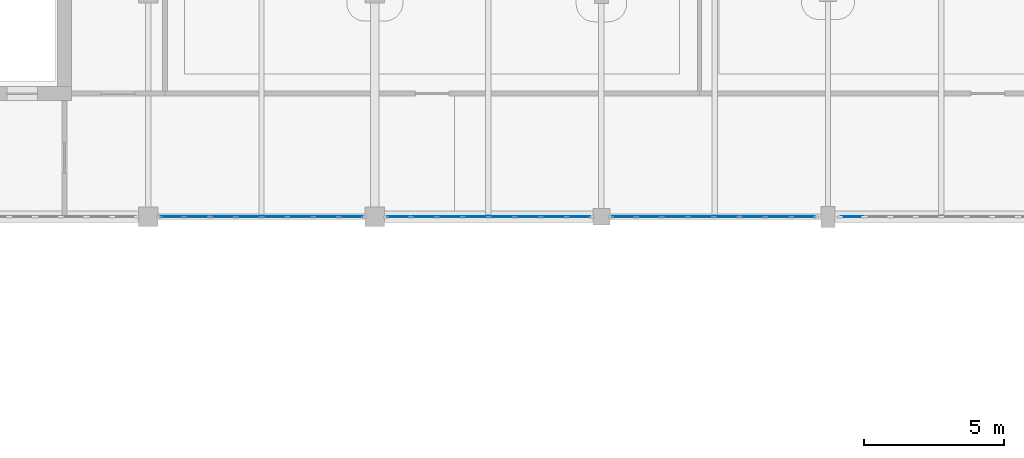
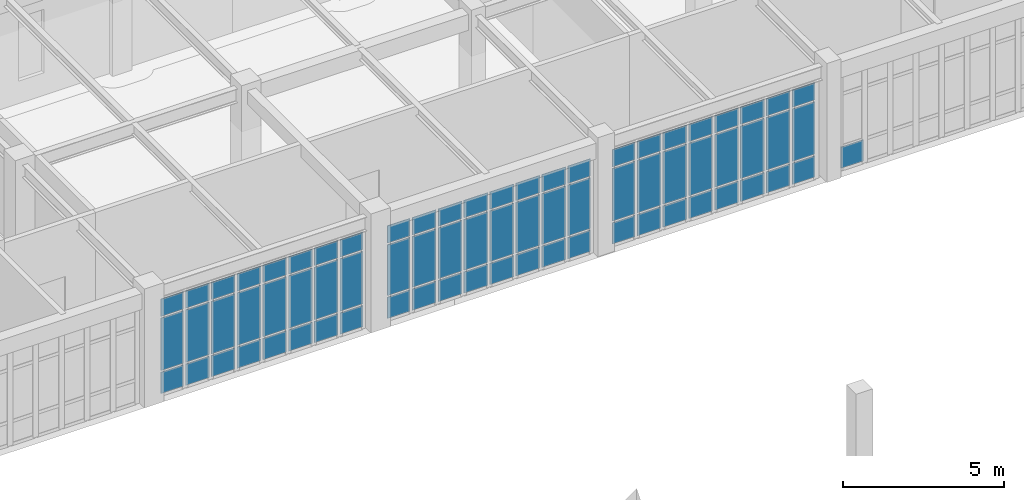
# One storey, part 44 of 67: 73 plates, 4 elements without a shape of their own.
"""IFC4 building model written with IfcOpenShell, lengths in metres."""

from ifc_helpers import new_model, si_unit, direction, frame, origin, origin_2d, place, context, subcontext, project, spatial, rectangle, extrude, material, layer, layer_set, type_object, element, aggregate, save


model = new_model("IFC4")

# Units and contexts
model_context = context("Model", 3, precision=1e-05, world=origin(), true_north=direction((0.0, 1.0)))
body_context = subcontext(model_context, "Body", "Model", "MODEL_VIEW")
ifc_project = project(units=[si_unit("LENGTHUNIT", "METRE"), si_unit("AREAUNIT", "SQUARE_METRE"), si_unit("VOLUMEUNIT", "CUBIC_METRE"), si_unit("PLANEANGLEUNIT", "RADIAN"), si_unit("MASSUNIT", "GRAM", prefix="KILO")], contexts=[model_context])

# Site, building, storey
site_placement = place(None, origin())
site = spatial("IfcSite", under=ifc_project, at=site_placement, CompositionType="ELEMENT")
building_placement = place(site_placement, origin())
building = spatial("IfcBuilding", under=site, at=building_placement, Name="Tarnveldt Square Police Headquarters", CompositionType="ELEMENT")
storey_placement = place(building_placement, frame((0.0, 0.0, 10.199951171875)))
storey = spatial("IfcBuildingStorey", under=building, at=storey_placement, Name="L02", CompositionType="ELEMENT", Elevation=10.199951171875)

# Curtain wall, plates
ifc_material = material(Name="Triple-glazed low-e laminated vision glass", Category="glass")
curtain_wall_type_1 = type_object("IfcCurtainWallType", Name="CW-LB-737x370", PredefinedType="USERDEFINED", material=ifc_material)
curtain_wall_1_placement = place(storey_placement, origin())
curtain_wall_1 = element("IfcCurtainWall", 1, at=curtain_wall_1_placement, inside=storey, type_object=curtain_wall_type_1, Name="L02 Curtain Wall CW-L02-114", ObjectType="GLAZED CURTAIN WALL", PredefinedType="USERDEFINED")
ifc_layer = layer(ifc_material, 0.028076171875)
ifc_layer_set = layer_set([ifc_layer], Name="Triple-glazed low-e laminated vision glass")
plate_type = type_object("IfcPlateType", Name="CWP-VIS-28", PredefinedType="CURTAIN_PANEL", material=ifc_layer_set)
plate_1_placement = place(storey_placement, frame((65.644287109375, 96.0, 0.06494140625), z_axis=(0.0, 0.0, 1.0), x_axis=(1.0, 0.0, 0.0)))
plate_1 = element("IfcPlate", 2, at=plate_1_placement, type_object=plate_type, Name="CW-LB65 panel 1.1", PredefinedType="CURTAIN_PANEL", context=body_context, shape_type="SweptSolid", body=[
    extrude(rectangle(XDim=0.808837890625, YDim=0.028076171875, at=origin_2d()), origin(), (0.0, 0.0, 1.0), 0.802490234375),
])
plate_2_placement = place(storey_placement, frame((65.644287109375, 96.0, 0.9326171875), z_axis=(0.0, 0.0, 1.0), x_axis=(1.0, 0.0, 0.0)))
plate_2 = element("IfcPlate", 3, at=plate_2_placement, type_object=plate_type, Name="CW-LB65 panel 1.2", PredefinedType="CURTAIN_PANEL", context=body_context, shape_type="SweptSolid", body=[
    extrude(rectangle(XDim=0.808837890625, YDim=0.028076171875, at=origin_2d()), origin(), (0.0, 0.0, 1.0), 1.98388671875),
])
plate_3_placement = place(storey_placement, frame((65.644287109375, 96.0, 2.9814453125), z_axis=(0.0, 0.0, 1.0), x_axis=(1.0, 0.0, 0.0)))
plate_3 = element("IfcPlate", 4, at=plate_3_placement, type_object=plate_type, Name="CW-LB65 panel 1.3", PredefinedType="CURTAIN_PANEL", context=body_context, shape_type="SweptSolid", body=[
    extrude(rectangle(XDim=0.808837890625, YDim=0.028076171875, at=origin_2d()), origin(), (0.0, 0.0, 1.0), 0.652587890625),
])
plate_4_placement = place(storey_placement, frame((66.546875, 96.0, 0.06494140625), z_axis=(0.0, 0.0, 1.0), x_axis=(1.0, 0.0, 0.0)))
plate_4 = element("IfcPlate", 5, at=plate_4_placement, type_object=plate_type, Name="CW-LB65 panel 2.1", PredefinedType="CURTAIN_PANEL", context=body_context, shape_type="SweptSolid", body=[
    extrude(rectangle(XDim=0.84619140625, YDim=0.028076171875, at=origin_2d()), origin(), (0.0, 0.0, 1.0), 0.802490234375),
])
plate_5_placement = place(storey_placement, frame((66.546875, 96.0, 0.9326171875), z_axis=(0.0, 0.0, 1.0), x_axis=(1.0, 0.0, 0.0)))
plate_5 = element("IfcPlate", 6, at=plate_5_placement, type_object=plate_type, Name="CW-LB65 panel 2.2", PredefinedType="CURTAIN_PANEL", context=body_context, shape_type="SweptSolid", body=[
    extrude(rectangle(XDim=0.84619140625, YDim=0.028076171875, at=origin_2d()), origin(), (0.0, 0.0, 1.0), 1.98388671875),
])
plate_6_placement = place(storey_placement, frame((66.546875, 96.0, 2.9814453125), z_axis=(0.0, 0.0, 1.0), x_axis=(1.0, 0.0, 0.0)))
plate_6 = element("IfcPlate", 7, at=plate_6_placement, type_object=plate_type, Name="CW-LB65 panel 2.3", PredefinedType="CURTAIN_PANEL", context=body_context, shape_type="SweptSolid", body=[
    extrude(rectangle(XDim=0.84619140625, YDim=0.028076171875, at=origin_2d()), origin(), (0.0, 0.0, 1.0), 0.652587890625),
])
plate_7_placement = place(storey_placement, frame((67.468017578125, 96.0, 0.06494140625), z_axis=(0.0, 0.0, 1.0), x_axis=(1.0, 0.0, 0.0)))
plate_7 = element("IfcPlate", 8, at=plate_7_placement, type_object=plate_type, Name="CW-LB65 panel 3.1", PredefinedType="CURTAIN_PANEL", context=body_context, shape_type="SweptSolid", body=[
    extrude(rectangle(XDim=0.84619140625, YDim=0.028076171875, at=origin_2d()), origin(), (0.0, 0.0, 1.0), 0.802490234375),
])
plate_8_placement = place(storey_placement, frame((67.468017578125, 96.0, 0.9326171875), z_axis=(0.0, 0.0, 1.0), x_axis=(1.0, 0.0, 0.0)))
plate_8 = element("IfcPlate", 9, at=plate_8_placement, type_object=plate_type, Name="CW-LB65 panel 3.2", PredefinedType="CURTAIN_PANEL", context=body_context, shape_type="SweptSolid", body=[
    extrude(rectangle(XDim=0.84619140625, YDim=0.028076171875, at=origin_2d()), origin(), (0.0, 0.0, 1.0), 1.98388671875),
])
plate_9_placement = place(storey_placement, frame((67.468017578125, 96.0, 2.9814453125), z_axis=(0.0, 0.0, 1.0), x_axis=(1.0, 0.0, 0.0)))
plate_9 = element("IfcPlate", 10, at=plate_9_placement, type_object=plate_type, Name="CW-LB65 panel 3.3", PredefinedType="CURTAIN_PANEL", context=body_context, shape_type="SweptSolid", body=[
    extrude(rectangle(XDim=0.84619140625, YDim=0.028076171875, at=origin_2d()), origin(), (0.0, 0.0, 1.0), 0.652587890625),
])
plate_10_placement = place(storey_placement, frame((68.389404296875, 96.0, 0.06494140625), z_axis=(0.0, 0.0, 1.0), x_axis=(1.0, 0.0, 0.0)))
plate_10 = element("IfcPlate", 11, at=plate_10_placement, type_object=plate_type, Name="CW-LB65 panel 4.1", PredefinedType="CURTAIN_PANEL", context=body_context, shape_type="SweptSolid", body=[
    extrude(rectangle(XDim=0.84619140625, YDim=0.028076171875, at=origin_2d()), origin(), (0.0, 0.0, 1.0), 0.802490234375),
])
plate_11_placement = place(storey_placement, frame((68.389404296875, 96.0, 0.9326171875), z_axis=(0.0, 0.0, 1.0), x_axis=(1.0, 0.0, 0.0)))
plate_11 = element("IfcPlate", 12, at=plate_11_placement, type_object=plate_type, Name="CW-LB65 panel 4.2", PredefinedType="CURTAIN_PANEL", context=body_context, shape_type="SweptSolid", body=[
    extrude(rectangle(XDim=0.84619140625, YDim=0.028076171875, at=origin_2d()), origin(), (0.0, 0.0, 1.0), 1.98388671875),
])
plate_12_placement = place(storey_placement, frame((68.389404296875, 96.0, 2.9814453125), z_axis=(0.0, 0.0, 1.0), x_axis=(1.0, 0.0, 0.0)))
plate_12 = element("IfcPlate", 13, at=plate_12_placement, type_object=plate_type, Name="CW-LB65 panel 4.3", PredefinedType="CURTAIN_PANEL", context=body_context, shape_type="SweptSolid", body=[
    extrude(rectangle(XDim=0.84619140625, YDim=0.028076171875, at=origin_2d()), origin(), (0.0, 0.0, 1.0), 0.652587890625),
])
plate_13_placement = place(storey_placement, frame((69.310546875, 96.0, 0.06494140625), z_axis=(0.0, 0.0, 1.0), x_axis=(1.0, 0.0, 0.0)))
plate_13 = element("IfcPlate", 14, at=plate_13_placement, type_object=plate_type, Name="CW-LB65 panel 5.1", PredefinedType="CURTAIN_PANEL", context=body_context, shape_type="SweptSolid", body=[
    extrude(rectangle(XDim=0.84619140625, YDim=0.028076171875, at=origin_2d()), origin(), (0.0, 0.0, 1.0), 0.802490234375),
])
plate_14_placement = place(storey_placement, frame((69.310546875, 96.0, 0.9326171875), z_axis=(0.0, 0.0, 1.0), x_axis=(1.0, 0.0, 0.0)))
plate_14 = element("IfcPlate", 15, at=plate_14_placement, type_object=plate_type, Name="CW-LB65 panel 5.2", PredefinedType="CURTAIN_PANEL", context=body_context, shape_type="SweptSolid", body=[
    extrude(rectangle(XDim=0.84619140625, YDim=0.028076171875, at=origin_2d()), origin(), (0.0, 0.0, 1.0), 1.98388671875),
])
plate_15_placement = place(storey_placement, frame((69.310546875, 96.0, 2.9814453125), z_axis=(0.0, 0.0, 1.0), x_axis=(1.0, 0.0, 0.0)))
plate_15 = element("IfcPlate", 16, at=plate_15_placement, type_object=plate_type, Name="CW-LB65 panel 5.3", PredefinedType="CURTAIN_PANEL", context=body_context, shape_type="SweptSolid", body=[
    extrude(rectangle(XDim=0.84619140625, YDim=0.028076171875, at=origin_2d()), origin(), (0.0, 0.0, 1.0), 0.652587890625),
])
plate_16_placement = place(storey_placement, frame((70.23193359375, 96.0, 0.06494140625), z_axis=(0.0, 0.0, 1.0), x_axis=(1.0, 0.0, 0.0)))
plate_16 = element("IfcPlate", 17, at=plate_16_placement, type_object=plate_type, Name="CW-LB65 panel 6.1", PredefinedType="CURTAIN_PANEL", context=body_context, shape_type="SweptSolid", body=[
    extrude(rectangle(XDim=0.84619140625, YDim=0.028076171875, at=origin_2d()), origin(), (0.0, 0.0, 1.0), 0.802490234375),
])
plate_17_placement = place(storey_placement, frame((70.23193359375, 96.0, 0.9326171875), z_axis=(0.0, 0.0, 1.0), x_axis=(1.0, 0.0, 0.0)))
plate_17 = element("IfcPlate", 18, at=plate_17_placement, type_object=plate_type, Name="CW-LB65 panel 6.2", PredefinedType="CURTAIN_PANEL", context=body_context, shape_type="SweptSolid", body=[
    extrude(rectangle(XDim=0.84619140625, YDim=0.028076171875, at=origin_2d()), origin(), (0.0, 0.0, 1.0), 1.98388671875),
])
plate_18_placement = place(storey_placement, frame((70.23193359375, 96.0, 2.9814453125), z_axis=(0.0, 0.0, 1.0), x_axis=(1.0, 0.0, 0.0)))
plate_18 = element("IfcPlate", 19, at=plate_18_placement, type_object=plate_type, Name="CW-LB65 panel 6.3", PredefinedType="CURTAIN_PANEL", context=body_context, shape_type="SweptSolid", body=[
    extrude(rectangle(XDim=0.84619140625, YDim=0.028076171875, at=origin_2d()), origin(), (0.0, 0.0, 1.0), 0.652587890625),
])
plate_19_placement = place(storey_placement, frame((71.153076171875, 96.0, 0.06494140625), z_axis=(0.0, 0.0, 1.0), x_axis=(1.0, 0.0, 0.0)))
plate_19 = element("IfcPlate", 20, at=plate_19_placement, type_object=plate_type, Name="CW-LB65 panel 7.1", PredefinedType="CURTAIN_PANEL", context=body_context, shape_type="SweptSolid", body=[
    extrude(rectangle(XDim=0.84619140625, YDim=0.028076171875, at=origin_2d()), origin(), (0.0, 0.0, 1.0), 0.802490234375),
])
plate_20_placement = place(storey_placement, frame((71.153076171875, 96.0, 0.9326171875), z_axis=(0.0, 0.0, 1.0), x_axis=(1.0, 0.0, 0.0)))
plate_20 = element("IfcPlate", 21, at=plate_20_placement, type_object=plate_type, Name="CW-LB65 panel 7.2", PredefinedType="CURTAIN_PANEL", context=body_context, shape_type="SweptSolid", body=[
    extrude(rectangle(XDim=0.84619140625, YDim=0.028076171875, at=origin_2d()), origin(), (0.0, 0.0, 1.0), 1.98388671875),
])
plate_21_placement = place(storey_placement, frame((71.153076171875, 96.0, 2.9814453125), z_axis=(0.0, 0.0, 1.0), x_axis=(1.0, 0.0, 0.0)))
plate_21 = element("IfcPlate", 22, at=plate_21_placement, type_object=plate_type, Name="CW-LB65 panel 7.3", PredefinedType="CURTAIN_PANEL", context=body_context, shape_type="SweptSolid", body=[
    extrude(rectangle(XDim=0.84619140625, YDim=0.028076171875, at=origin_2d()), origin(), (0.0, 0.0, 1.0), 0.652587890625),
])
plate_22_placement = place(storey_placement, frame((72.0556640625, 96.0, 0.06494140625), z_axis=(0.0, 0.0, 1.0), x_axis=(1.0, 0.0, 0.0)))
plate_22 = element("IfcPlate", 23, at=plate_22_placement, type_object=plate_type, Name="CW-LB65 panel 8.1", PredefinedType="CURTAIN_PANEL", context=body_context, shape_type="SweptSolid", body=[
    extrude(rectangle(XDim=0.808837890625, YDim=0.028076171875, at=origin_2d()), origin(), (0.0, 0.0, 1.0), 0.802490234375),
])
plate_23_placement = place(storey_placement, frame((72.0556640625, 96.0, 0.9326171875), z_axis=(0.0, 0.0, 1.0), x_axis=(1.0, 0.0, 0.0)))
plate_23 = element("IfcPlate", 24, at=plate_23_placement, type_object=plate_type, Name="CW-LB65 panel 8.2", PredefinedType="CURTAIN_PANEL", context=body_context, shape_type="SweptSolid", body=[
    extrude(rectangle(XDim=0.808837890625, YDim=0.028076171875, at=origin_2d()), origin(), (0.0, 0.0, 1.0), 1.98388671875),
])
plate_24_placement = place(storey_placement, frame((72.0556640625, 96.0, 2.9814453125), z_axis=(0.0, 0.0, 1.0), x_axis=(1.0, 0.0, 0.0)))
plate_24 = element("IfcPlate", 25, at=plate_24_placement, type_object=plate_type, Name="CW-LB65 panel 8.3", PredefinedType="CURTAIN_PANEL", context=body_context, shape_type="SweptSolid", body=[
    extrude(rectangle(XDim=0.808837890625, YDim=0.028076171875, at=origin_2d()), origin(), (0.0, 0.0, 1.0), 0.652587890625),
])
aggregate(curtain_wall_1, [plate_1, plate_2, plate_3, plate_4, plate_5, plate_6, plate_7, plate_8, plate_9, plate_10, plate_11, plate_12, plate_13, plate_14, plate_15, plate_16, plate_17, plate_18, plate_19, plate_20, plate_21, plate_22, plate_23, plate_24])

curtain_wall_type_2 = type_object("IfcCurtainWallType", Name="CW-LB-742x363", PredefinedType="USERDEFINED", material=ifc_material)
curtain_wall_2_placement = place(storey_placement, origin())
curtain_wall_2 = element("IfcCurtainWall", 26, at=curtain_wall_2_placement, inside=storey, type_object=curtain_wall_type_2, Name="L02 Curtain Wall CW-L02-115", ObjectType="GLAZED CURTAIN WALL", PredefinedType="USERDEFINED")
plate_25_placement = place(storey_placement, frame((73.74755859375, 96.0, 0.06494140625), z_axis=(0.0, 0.0, 1.0), x_axis=(1.0, 0.0, 0.0)))
plate_25 = element("IfcPlate", 27, at=plate_25_placement, type_object=plate_type, Name="CW-LB67 panel 1.1", PredefinedType="CURTAIN_PANEL", context=body_context, shape_type="SweptSolid", body=[
    extrude(rectangle(XDim=0.81494140625, YDim=0.028076171875, at=origin_2d()), origin(), (0.0, 0.0, 1.0), 0.802490234375),
])
plate_26_placement = place(storey_placement, frame((73.74755859375, 96.0, 0.9326171875), z_axis=(0.0, 0.0, 1.0), x_axis=(1.0, 0.0, 0.0)))
plate_26 = element("IfcPlate", 28, at=plate_26_placement, type_object=plate_type, Name="CW-LB67 panel 1.2", PredefinedType="CURTAIN_PANEL", context=body_context, shape_type="SweptSolid", body=[
    extrude(rectangle(XDim=0.81494140625, YDim=0.028076171875, at=origin_2d()), origin(), (0.0, 0.0, 1.0), 1.9169921875),
])
plate_27_placement = place(storey_placement, frame((73.74755859375, 96.0, 2.91455078125), z_axis=(0.0, 0.0, 1.0), x_axis=(1.0, 0.0, 0.0)))
plate_27 = element("IfcPlate", 29, at=plate_27_placement, type_object=plate_type, Name="CW-LB67 panel 1.3", PredefinedType="CURTAIN_PANEL", context=body_context, shape_type="SweptSolid", body=[
    extrude(rectangle(XDim=0.81494140625, YDim=0.028076171875, at=origin_2d()), origin(), (0.0, 0.0, 1.0), 0.652587890625),
])
plate_28_placement = place(storey_placement, frame((74.65625, 96.0, 0.06494140625), z_axis=(0.0, 0.0, 1.0), x_axis=(1.0, 0.0, 0.0)))
plate_28 = element("IfcPlate", 30, at=plate_28_placement, type_object=plate_type, Name="CW-LB67 panel 2.1", PredefinedType="CURTAIN_PANEL", context=body_context, shape_type="SweptSolid", body=[
    extrude(rectangle(XDim=0.8525390625, YDim=0.028076171875, at=origin_2d()), origin(), (0.0, 0.0, 1.0), 0.802490234375),
])
plate_29_placement = place(storey_placement, frame((74.65625, 96.0, 0.9326171875), z_axis=(0.0, 0.0, 1.0), x_axis=(1.0, 0.0, 0.0)))
plate_29 = element("IfcPlate", 31, at=plate_29_placement, type_object=plate_type, Name="CW-LB67 panel 2.2", PredefinedType="CURTAIN_PANEL", context=body_context, shape_type="SweptSolid", body=[
    extrude(rectangle(XDim=0.8525390625, YDim=0.028076171875, at=origin_2d()), origin(), (0.0, 0.0, 1.0), 1.9169921875),
])
plate_30_placement = place(storey_placement, frame((74.65625, 96.0, 2.91455078125), z_axis=(0.0, 0.0, 1.0), x_axis=(1.0, 0.0, 0.0)))
plate_30 = element("IfcPlate", 32, at=plate_30_placement, type_object=plate_type, Name="CW-LB67 panel 2.3", PredefinedType="CURTAIN_PANEL", context=body_context, shape_type="SweptSolid", body=[
    extrude(rectangle(XDim=0.8525390625, YDim=0.028076171875, at=origin_2d()), origin(), (0.0, 0.0, 1.0), 0.652587890625),
])
plate_31_placement = place(storey_placement, frame((75.583740234375, 96.0, 0.06494140625), z_axis=(0.0, 0.0, 1.0), x_axis=(1.0, 0.0, 0.0)))
plate_31 = element("IfcPlate", 33, at=plate_31_placement, type_object=plate_type, Name="CW-LB67 panel 3.1", PredefinedType="CURTAIN_PANEL", context=body_context, shape_type="SweptSolid", body=[
    extrude(rectangle(XDim=0.8525390625, YDim=0.028076171875, at=origin_2d()), origin(), (0.0, 0.0, 1.0), 0.802490234375),
])
plate_32_placement = place(storey_placement, frame((75.583740234375, 96.0, 0.9326171875), z_axis=(0.0, 0.0, 1.0), x_axis=(1.0, 0.0, 0.0)))
plate_32 = element("IfcPlate", 34, at=plate_32_placement, type_object=plate_type, Name="CW-LB67 panel 3.2", PredefinedType="CURTAIN_PANEL", context=body_context, shape_type="SweptSolid", body=[
    extrude(rectangle(XDim=0.8525390625, YDim=0.028076171875, at=origin_2d()), origin(), (0.0, 0.0, 1.0), 1.9169921875),
])
plate_33_placement = place(storey_placement, frame((75.583740234375, 96.0, 2.91455078125), z_axis=(0.0, 0.0, 1.0), x_axis=(1.0, 0.0, 0.0)))
plate_33 = element("IfcPlate", 35, at=plate_33_placement, type_object=plate_type, Name="CW-LB67 panel 3.3", PredefinedType="CURTAIN_PANEL", context=body_context, shape_type="SweptSolid", body=[
    extrude(rectangle(XDim=0.8525390625, YDim=0.028076171875, at=origin_2d()), origin(), (0.0, 0.0, 1.0), 0.652587890625),
])
plate_34_placement = place(storey_placement, frame((76.51123046875, 96.0, 0.06494140625), z_axis=(0.0, 0.0, 1.0), x_axis=(1.0, 0.0, 0.0)))
plate_34 = element("IfcPlate", 36, at=plate_34_placement, type_object=plate_type, Name="CW-LB67 panel 4.1", PredefinedType="CURTAIN_PANEL", context=body_context, shape_type="SweptSolid", body=[
    extrude(rectangle(XDim=0.8525390625, YDim=0.028076171875, at=origin_2d()), origin(), (0.0, 0.0, 1.0), 0.802490234375),
])
plate_35_placement = place(storey_placement, frame((76.51123046875, 96.0, 0.9326171875), z_axis=(0.0, 0.0, 1.0), x_axis=(1.0, 0.0, 0.0)))
plate_35 = element("IfcPlate", 37, at=plate_35_placement, type_object=plate_type, Name="CW-LB67 panel 4.2", PredefinedType="CURTAIN_PANEL", context=body_context, shape_type="SweptSolid", body=[
    extrude(rectangle(XDim=0.8525390625, YDim=0.028076171875, at=origin_2d()), origin(), (0.0, 0.0, 1.0), 1.9169921875),
])
plate_36_placement = place(storey_placement, frame((76.51123046875, 96.0, 2.91455078125), z_axis=(0.0, 0.0, 1.0), x_axis=(1.0, 0.0, 0.0)))
plate_36 = element("IfcPlate", 38, at=plate_36_placement, type_object=plate_type, Name="CW-LB67 panel 4.3", PredefinedType="CURTAIN_PANEL", context=body_context, shape_type="SweptSolid", body=[
    extrude(rectangle(XDim=0.8525390625, YDim=0.028076171875, at=origin_2d()), origin(), (0.0, 0.0, 1.0), 0.652587890625),
])
plate_37_placement = place(storey_placement, frame((77.438720703125, 96.0, 0.06494140625), z_axis=(0.0, 0.0, 1.0), x_axis=(1.0, 0.0, 0.0)))
plate_37 = element("IfcPlate", 39, at=plate_37_placement, type_object=plate_type, Name="CW-LB67 panel 5.1", PredefinedType="CURTAIN_PANEL", context=body_context, shape_type="SweptSolid", body=[
    extrude(rectangle(XDim=0.8525390625, YDim=0.028076171875, at=origin_2d()), origin(), (0.0, 0.0, 1.0), 0.802490234375),
])
plate_38_placement = place(storey_placement, frame((77.438720703125, 96.0, 0.9326171875), z_axis=(0.0, 0.0, 1.0), x_axis=(1.0, 0.0, 0.0)))
plate_38 = element("IfcPlate", 40, at=plate_38_placement, type_object=plate_type, Name="CW-LB67 panel 5.2", PredefinedType="CURTAIN_PANEL", context=body_context, shape_type="SweptSolid", body=[
    extrude(rectangle(XDim=0.8525390625, YDim=0.028076171875, at=origin_2d()), origin(), (0.0, 0.0, 1.0), 1.9169921875),
])
plate_39_placement = place(storey_placement, frame((77.438720703125, 96.0, 2.91455078125), z_axis=(0.0, 0.0, 1.0), x_axis=(1.0, 0.0, 0.0)))
plate_39 = element("IfcPlate", 41, at=plate_39_placement, type_object=plate_type, Name="CW-LB67 panel 5.3", PredefinedType="CURTAIN_PANEL", context=body_context, shape_type="SweptSolid", body=[
    extrude(rectangle(XDim=0.8525390625, YDim=0.028076171875, at=origin_2d()), origin(), (0.0, 0.0, 1.0), 0.652587890625),
])
plate_40_placement = place(storey_placement, frame((78.3662109375, 96.0, 0.06494140625), z_axis=(0.0, 0.0, 1.0), x_axis=(1.0, 0.0, 0.0)))
plate_40 = element("IfcPlate", 42, at=plate_40_placement, type_object=plate_type, Name="CW-LB67 panel 6.1", PredefinedType="CURTAIN_PANEL", context=body_context, shape_type="SweptSolid", body=[
    extrude(rectangle(XDim=0.8525390625, YDim=0.028076171875, at=origin_2d()), origin(), (0.0, 0.0, 1.0), 0.802490234375),
])
plate_41_placement = place(storey_placement, frame((78.3662109375, 96.0, 0.9326171875), z_axis=(0.0, 0.0, 1.0), x_axis=(1.0, 0.0, 0.0)))
plate_41 = element("IfcPlate", 43, at=plate_41_placement, type_object=plate_type, Name="CW-LB67 panel 6.2", PredefinedType="CURTAIN_PANEL", context=body_context, shape_type="SweptSolid", body=[
    extrude(rectangle(XDim=0.8525390625, YDim=0.028076171875, at=origin_2d()), origin(), (0.0, 0.0, 1.0), 1.9169921875),
])
plate_42_placement = place(storey_placement, frame((78.3662109375, 96.0, 2.91455078125), z_axis=(0.0, 0.0, 1.0), x_axis=(1.0, 0.0, 0.0)))
plate_42 = element("IfcPlate", 44, at=plate_42_placement, type_object=plate_type, Name="CW-LB67 panel 6.3", PredefinedType="CURTAIN_PANEL", context=body_context, shape_type="SweptSolid", body=[
    extrude(rectangle(XDim=0.8525390625, YDim=0.028076171875, at=origin_2d()), origin(), (0.0, 0.0, 1.0), 0.652587890625),
])
plate_43_placement = place(storey_placement, frame((79.293701171875, 96.0, 0.06494140625), z_axis=(0.0, 0.0, 1.0), x_axis=(1.0, 0.0, 0.0)))
plate_43 = element("IfcPlate", 45, at=plate_43_placement, type_object=plate_type, Name="CW-LB67 panel 7.1", PredefinedType="CURTAIN_PANEL", context=body_context, shape_type="SweptSolid", body=[
    extrude(rectangle(XDim=0.8525390625, YDim=0.028076171875, at=origin_2d()), origin(), (0.0, 0.0, 1.0), 0.802490234375),
])
plate_44_placement = place(storey_placement, frame((79.293701171875, 96.0, 0.9326171875), z_axis=(0.0, 0.0, 1.0), x_axis=(1.0, 0.0, 0.0)))
plate_44 = element("IfcPlate", 46, at=plate_44_placement, type_object=plate_type, Name="CW-LB67 panel 7.2", PredefinedType="CURTAIN_PANEL", context=body_context, shape_type="SweptSolid", body=[
    extrude(rectangle(XDim=0.8525390625, YDim=0.028076171875, at=origin_2d()), origin(), (0.0, 0.0, 1.0), 1.9169921875),
])
plate_45_placement = place(storey_placement, frame((79.293701171875, 96.0, 2.91455078125), z_axis=(0.0, 0.0, 1.0), x_axis=(1.0, 0.0, 0.0)))
plate_45 = element("IfcPlate", 47, at=plate_45_placement, type_object=plate_type, Name="CW-LB67 panel 7.3", PredefinedType="CURTAIN_PANEL", context=body_context, shape_type="SweptSolid", body=[
    extrude(rectangle(XDim=0.8525390625, YDim=0.028076171875, at=origin_2d()), origin(), (0.0, 0.0, 1.0), 0.652587890625),
])
plate_46_placement = place(storey_placement, frame((80.202392578125, 96.0, 0.06494140625), z_axis=(0.0, 0.0, 1.0), x_axis=(1.0, 0.0, 0.0)))
plate_46 = element("IfcPlate", 48, at=plate_46_placement, type_object=plate_type, Name="CW-LB67 panel 8.1", PredefinedType="CURTAIN_PANEL", context=body_context, shape_type="SweptSolid", body=[
    extrude(rectangle(XDim=0.81494140625, YDim=0.028076171875, at=origin_2d()), origin(), (0.0, 0.0, 1.0), 0.802490234375),
])
plate_47_placement = place(storey_placement, frame((80.202392578125, 96.0, 0.9326171875), z_axis=(0.0, 0.0, 1.0), x_axis=(1.0, 0.0, 0.0)))
plate_47 = element("IfcPlate", 49, at=plate_47_placement, type_object=plate_type, Name="CW-LB67 panel 8.2", PredefinedType="CURTAIN_PANEL", context=body_context, shape_type="SweptSolid", body=[
    extrude(rectangle(XDim=0.81494140625, YDim=0.028076171875, at=origin_2d()), origin(), (0.0, 0.0, 1.0), 1.9169921875),
])
plate_48_placement = place(storey_placement, frame((80.202392578125, 96.0, 2.91455078125), z_axis=(0.0, 0.0, 1.0), x_axis=(1.0, 0.0, 0.0)))
plate_48 = element("IfcPlate", 50, at=plate_48_placement, type_object=plate_type, Name="CW-LB67 panel 8.3", PredefinedType="CURTAIN_PANEL", context=body_context, shape_type="SweptSolid", body=[
    extrude(rectangle(XDim=0.81494140625, YDim=0.028076171875, at=origin_2d()), origin(), (0.0, 0.0, 1.0), 0.652587890625),
])
aggregate(curtain_wall_2, [plate_25, plate_26, plate_27, plate_28, plate_29, plate_30, plate_31, plate_32, plate_33, plate_34, plate_35, plate_36, plate_37, plate_38, plate_39, plate_40, plate_41, plate_42, plate_43, plate_44, plate_45, plate_46, plate_47, plate_48])

curtain_wall_type_3 = type_object("IfcCurtainWallType", Name="CW-LB-739x370", PredefinedType="USERDEFINED", material=ifc_material)
curtain_wall_3_placement = place(storey_placement, origin())
curtain_wall_3 = element("IfcCurtainWall", 51, at=curtain_wall_3_placement, inside=storey, type_object=curtain_wall_type_3, Name="L02 Curtain Wall CW-L02-116", ObjectType="GLAZED CURTAIN WALL", PredefinedType="USERDEFINED")
plate_49_placement = place(storey_placement, frame((81.7958984375, 96.0, 0.06494140625), z_axis=(0.0, 0.0, 1.0), x_axis=(1.0, 0.0, 0.0)))
plate_49 = element("IfcPlate", 52, at=plate_49_placement, type_object=plate_type, Name="CW-LB68 panel 1.1", PredefinedType="CURTAIN_PANEL", context=body_context, shape_type="SweptSolid", body=[
    extrude(rectangle(XDim=0.811767578125, YDim=0.028076171875, at=origin_2d()), origin(), (0.0, 0.0, 1.0), 0.802490234375),
])
plate_50_placement = place(storey_placement, frame((81.7958984375, 96.0, 0.9326171875), z_axis=(0.0, 0.0, 1.0), x_axis=(1.0, 0.0, 0.0)))
plate_50 = element("IfcPlate", 53, at=plate_50_placement, type_object=plate_type, Name="CW-LB68 panel 1.2", PredefinedType="CURTAIN_PANEL", context=body_context, shape_type="SweptSolid", body=[
    extrude(rectangle(XDim=0.811767578125, YDim=0.028076171875, at=origin_2d()), origin(), (0.0, 0.0, 1.0), 1.98388671875),
])
plate_51_placement = place(storey_placement, frame((81.7958984375, 96.0, 2.9814453125), z_axis=(0.0, 0.0, 1.0), x_axis=(1.0, 0.0, 0.0)))
plate_51 = element("IfcPlate", 54, at=plate_51_placement, type_object=plate_type, Name="CW-LB68 panel 1.3", PredefinedType="CURTAIN_PANEL", context=body_context, shape_type="SweptSolid", body=[
    extrude(rectangle(XDim=0.811767578125, YDim=0.028076171875, at=origin_2d()), origin(), (0.0, 0.0, 1.0), 0.652587890625),
])
plate_52_placement = place(storey_placement, frame((82.70166015625, 96.0, 0.06494140625), z_axis=(0.0, 0.0, 1.0), x_axis=(1.0, 0.0, 0.0)))
plate_52 = element("IfcPlate", 55, at=plate_52_placement, type_object=plate_type, Name="CW-LB68 panel 2.1", PredefinedType="CURTAIN_PANEL", context=body_context, shape_type="SweptSolid", body=[
    extrude(rectangle(XDim=0.849365234375, YDim=0.028076171875, at=origin_2d()), origin(), (0.0, 0.0, 1.0), 0.802490234375),
])
plate_53_placement = place(storey_placement, frame((82.70166015625, 96.0, 0.9326171875), z_axis=(0.0, 0.0, 1.0), x_axis=(1.0, 0.0, 0.0)))
plate_53 = element("IfcPlate", 56, at=plate_53_placement, type_object=plate_type, Name="CW-LB68 panel 2.2", PredefinedType="CURTAIN_PANEL", context=body_context, shape_type="SweptSolid", body=[
    extrude(rectangle(XDim=0.849365234375, YDim=0.028076171875, at=origin_2d()), origin(), (0.0, 0.0, 1.0), 1.98388671875),
])
plate_54_placement = place(storey_placement, frame((82.70166015625, 96.0, 2.9814453125), z_axis=(0.0, 0.0, 1.0), x_axis=(1.0, 0.0, 0.0)))
plate_54 = element("IfcPlate", 57, at=plate_54_placement, type_object=plate_type, Name="CW-LB68 panel 2.3", PredefinedType="CURTAIN_PANEL", context=body_context, shape_type="SweptSolid", body=[
    extrude(rectangle(XDim=0.849365234375, YDim=0.028076171875, at=origin_2d()), origin(), (0.0, 0.0, 1.0), 0.652587890625),
])
plate_55_placement = place(storey_placement, frame((83.6259765625, 96.0, 0.06494140625), z_axis=(0.0, 0.0, 1.0), x_axis=(1.0, 0.0, 0.0)))
plate_55 = element("IfcPlate", 58, at=plate_55_placement, type_object=plate_type, Name="CW-LB68 panel 3.1", PredefinedType="CURTAIN_PANEL", context=body_context, shape_type="SweptSolid", body=[
    extrude(rectangle(XDim=0.849365234375, YDim=0.028076171875, at=origin_2d()), origin(), (0.0, 0.0, 1.0), 0.802490234375),
])
plate_56_placement = place(storey_placement, frame((83.6259765625, 96.0, 0.9326171875), z_axis=(0.0, 0.0, 1.0), x_axis=(1.0, 0.0, 0.0)))
plate_56 = element("IfcPlate", 59, at=plate_56_placement, type_object=plate_type, Name="CW-LB68 panel 3.2", PredefinedType="CURTAIN_PANEL", context=body_context, shape_type="SweptSolid", body=[
    extrude(rectangle(XDim=0.849365234375, YDim=0.028076171875, at=origin_2d()), origin(), (0.0, 0.0, 1.0), 1.98388671875),
])
plate_57_placement = place(storey_placement, frame((83.6259765625, 96.0, 2.9814453125), z_axis=(0.0, 0.0, 1.0), x_axis=(1.0, 0.0, 0.0)))
plate_57 = element("IfcPlate", 60, at=plate_57_placement, type_object=plate_type, Name="CW-LB68 panel 3.3", PredefinedType="CURTAIN_PANEL", context=body_context, shape_type="SweptSolid", body=[
    extrude(rectangle(XDim=0.849365234375, YDim=0.028076171875, at=origin_2d()), origin(), (0.0, 0.0, 1.0), 0.652587890625),
])
plate_58_placement = place(storey_placement, frame((84.55029296875, 96.0, 0.06494140625), z_axis=(0.0, 0.0, 1.0), x_axis=(1.0, 0.0, 0.0)))
plate_58 = element("IfcPlate", 61, at=plate_58_placement, type_object=plate_type, Name="CW-LB68 panel 4.1", PredefinedType="CURTAIN_PANEL", context=body_context, shape_type="SweptSolid", body=[
    extrude(rectangle(XDim=0.849365234375, YDim=0.028076171875, at=origin_2d()), origin(), (0.0, 0.0, 1.0), 0.802490234375),
])
plate_59_placement = place(storey_placement, frame((84.55029296875, 96.0, 0.9326171875), z_axis=(0.0, 0.0, 1.0), x_axis=(1.0, 0.0, 0.0)))
plate_59 = element("IfcPlate", 62, at=plate_59_placement, type_object=plate_type, Name="CW-LB68 panel 4.2", PredefinedType="CURTAIN_PANEL", context=body_context, shape_type="SweptSolid", body=[
    extrude(rectangle(XDim=0.849365234375, YDim=0.028076171875, at=origin_2d()), origin(), (0.0, 0.0, 1.0), 1.98388671875),
])
plate_60_placement = place(storey_placement, frame((84.55029296875, 96.0, 2.9814453125), z_axis=(0.0, 0.0, 1.0), x_axis=(1.0, 0.0, 0.0)))
plate_60 = element("IfcPlate", 63, at=plate_60_placement, type_object=plate_type, Name="CW-LB68 panel 4.3", PredefinedType="CURTAIN_PANEL", context=body_context, shape_type="SweptSolid", body=[
    extrude(rectangle(XDim=0.849365234375, YDim=0.028076171875, at=origin_2d()), origin(), (0.0, 0.0, 1.0), 0.652587890625),
])
plate_61_placement = place(storey_placement, frame((85.474609375, 96.0, 0.06494140625), z_axis=(0.0, 0.0, 1.0), x_axis=(1.0, 0.0, 0.0)))
plate_61 = element("IfcPlate", 64, at=plate_61_placement, type_object=plate_type, Name="CW-LB68 panel 5.1", PredefinedType="CURTAIN_PANEL", context=body_context, shape_type="SweptSolid", body=[
    extrude(rectangle(XDim=0.849365234375, YDim=0.028076171875, at=origin_2d()), origin(), (0.0, 0.0, 1.0), 0.802490234375),
])
plate_62_placement = place(storey_placement, frame((85.474609375, 96.0, 0.9326171875), z_axis=(0.0, 0.0, 1.0), x_axis=(1.0, 0.0, 0.0)))
plate_62 = element("IfcPlate", 65, at=plate_62_placement, type_object=plate_type, Name="CW-LB68 panel 5.2", PredefinedType="CURTAIN_PANEL", context=body_context, shape_type="SweptSolid", body=[
    extrude(rectangle(XDim=0.849365234375, YDim=0.028076171875, at=origin_2d()), origin(), (0.0, 0.0, 1.0), 1.98388671875),
])
plate_63_placement = place(storey_placement, frame((85.474609375, 96.0, 2.9814453125), z_axis=(0.0, 0.0, 1.0), x_axis=(1.0, 0.0, 0.0)))
plate_63 = element("IfcPlate", 66, at=plate_63_placement, type_object=plate_type, Name="CW-LB68 panel 5.3", PredefinedType="CURTAIN_PANEL", context=body_context, shape_type="SweptSolid", body=[
    extrude(rectangle(XDim=0.849365234375, YDim=0.028076171875, at=origin_2d()), origin(), (0.0, 0.0, 1.0), 0.652587890625),
])
plate_64_placement = place(storey_placement, frame((86.399169921875, 96.0, 0.06494140625), z_axis=(0.0, 0.0, 1.0), x_axis=(1.0, 0.0, 0.0)))
plate_64 = element("IfcPlate", 67, at=plate_64_placement, type_object=plate_type, Name="CW-LB68 panel 6.1", PredefinedType="CURTAIN_PANEL", context=body_context, shape_type="SweptSolid", body=[
    extrude(rectangle(XDim=0.849365234375, YDim=0.028076171875, at=origin_2d()), origin(), (0.0, 0.0, 1.0), 0.802490234375),
])
plate_65_placement = place(storey_placement, frame((86.399169921875, 96.0, 0.9326171875), z_axis=(0.0, 0.0, 1.0), x_axis=(1.0, 0.0, 0.0)))
plate_65 = element("IfcPlate", 68, at=plate_65_placement, type_object=plate_type, Name="CW-LB68 panel 6.2", PredefinedType="CURTAIN_PANEL", context=body_context, shape_type="SweptSolid", body=[
    extrude(rectangle(XDim=0.849365234375, YDim=0.028076171875, at=origin_2d()), origin(), (0.0, 0.0, 1.0), 1.98388671875),
])
plate_66_placement = place(storey_placement, frame((86.399169921875, 96.0, 2.9814453125), z_axis=(0.0, 0.0, 1.0), x_axis=(1.0, 0.0, 0.0)))
plate_66 = element("IfcPlate", 69, at=plate_66_placement, type_object=plate_type, Name="CW-LB68 panel 6.3", PredefinedType="CURTAIN_PANEL", context=body_context, shape_type="SweptSolid", body=[
    extrude(rectangle(XDim=0.849365234375, YDim=0.028076171875, at=origin_2d()), origin(), (0.0, 0.0, 1.0), 0.652587890625),
])
plate_67_placement = place(storey_placement, frame((87.323486328125, 96.0, 0.06494140625), z_axis=(0.0, 0.0, 1.0), x_axis=(1.0, 0.0, 0.0)))
plate_67 = element("IfcPlate", 70, at=plate_67_placement, type_object=plate_type, Name="CW-LB68 panel 7.1", PredefinedType="CURTAIN_PANEL", context=body_context, shape_type="SweptSolid", body=[
    extrude(rectangle(XDim=0.849365234375, YDim=0.028076171875, at=origin_2d()), origin(), (0.0, 0.0, 1.0), 0.802490234375),
])
plate_68_placement = place(storey_placement, frame((87.323486328125, 96.0, 0.9326171875), z_axis=(0.0, 0.0, 1.0), x_axis=(1.0, 0.0, 0.0)))
plate_68 = element("IfcPlate", 71, at=plate_68_placement, type_object=plate_type, Name="CW-LB68 panel 7.2", PredefinedType="CURTAIN_PANEL", context=body_context, shape_type="SweptSolid", body=[
    extrude(rectangle(XDim=0.849365234375, YDim=0.028076171875, at=origin_2d()), origin(), (0.0, 0.0, 1.0), 1.98388671875),
])
plate_69_placement = place(storey_placement, frame((87.323486328125, 96.0, 2.9814453125), z_axis=(0.0, 0.0, 1.0), x_axis=(1.0, 0.0, 0.0)))
plate_69 = element("IfcPlate", 72, at=plate_69_placement, type_object=plate_type, Name="CW-LB68 panel 7.3", PredefinedType="CURTAIN_PANEL", context=body_context, shape_type="SweptSolid", body=[
    extrude(rectangle(XDim=0.849365234375, YDim=0.028076171875, at=origin_2d()), origin(), (0.0, 0.0, 1.0), 0.652587890625),
])
plate_70_placement = place(storey_placement, frame((88.22900390625, 96.0, 0.06494140625), z_axis=(0.0, 0.0, 1.0), x_axis=(1.0, 0.0, 0.0)))
plate_70 = element("IfcPlate", 73, at=plate_70_placement, type_object=plate_type, Name="CW-LB68 panel 8.1", PredefinedType="CURTAIN_PANEL", context=body_context, shape_type="SweptSolid", body=[
    extrude(rectangle(XDim=0.811767578125, YDim=0.028076171875, at=origin_2d()), origin(), (0.0, 0.0, 1.0), 0.802490234375),
])
plate_71_placement = place(storey_placement, frame((88.22900390625, 96.0, 0.9326171875), z_axis=(0.0, 0.0, 1.0), x_axis=(1.0, 0.0, 0.0)))
plate_71 = element("IfcPlate", 74, at=plate_71_placement, type_object=plate_type, Name="CW-LB68 panel 8.2", PredefinedType="CURTAIN_PANEL", context=body_context, shape_type="SweptSolid", body=[
    extrude(rectangle(XDim=0.811767578125, YDim=0.028076171875, at=origin_2d()), origin(), (0.0, 0.0, 1.0), 1.98388671875),
])
plate_72_placement = place(storey_placement, frame((88.22900390625, 96.0, 2.9814453125), z_axis=(0.0, 0.0, 1.0), x_axis=(1.0, 0.0, 0.0)))
plate_72 = element("IfcPlate", 75, at=plate_72_placement, type_object=plate_type, Name="CW-LB68 panel 8.3", PredefinedType="CURTAIN_PANEL", context=body_context, shape_type="SweptSolid", body=[
    extrude(rectangle(XDim=0.811767578125, YDim=0.028076171875, at=origin_2d()), origin(), (0.0, 0.0, 1.0), 0.652587890625),
])
aggregate(curtain_wall_3, [plate_49, plate_50, plate_51, plate_52, plate_53, plate_54, plate_55, plate_56, plate_57, plate_58, plate_59, plate_60, plate_61, plate_62, plate_63, plate_64, plate_65, plate_66, plate_67, plate_68, plate_69, plate_70, plate_71, plate_72])

# Curtain wall, plate
curtain_wall_type_4 = type_object("IfcCurtainWallType", Name="CW-LB-732x363", PredefinedType="USERDEFINED", material=ifc_material)
curtain_wall_4_placement = place(storey_placement, origin())
curtain_wall_4 = element("IfcCurtainWall", 76, at=curtain_wall_4_placement, inside=storey, type_object=curtain_wall_type_4, Name="L02 Curtain Wall CW-L02-117", ObjectType="GLAZED CURTAIN WALL", PredefinedType="USERDEFINED")
plate_73_placement = place(storey_placement, frame((89.96630859375, 96.0, 0.06494140625), z_axis=(0.0, 0.0, 1.0), x_axis=(1.0, 0.0, 0.0)))
plate_73 = element("IfcPlate", 77, at=plate_73_placement, type_object=plate_type, Name="CW-LB69 panel 1.1", PredefinedType="CURTAIN_PANEL", context=body_context, shape_type="SweptSolid", body=[
    extrude(rectangle(XDim=0.802490234375, YDim=0.028076171875, at=origin_2d()), origin(), (0.0, 0.0, 1.0), 0.802490234375),
])
aggregate(curtain_wall_4, [plate_73])

save(model, "model.ifc")
